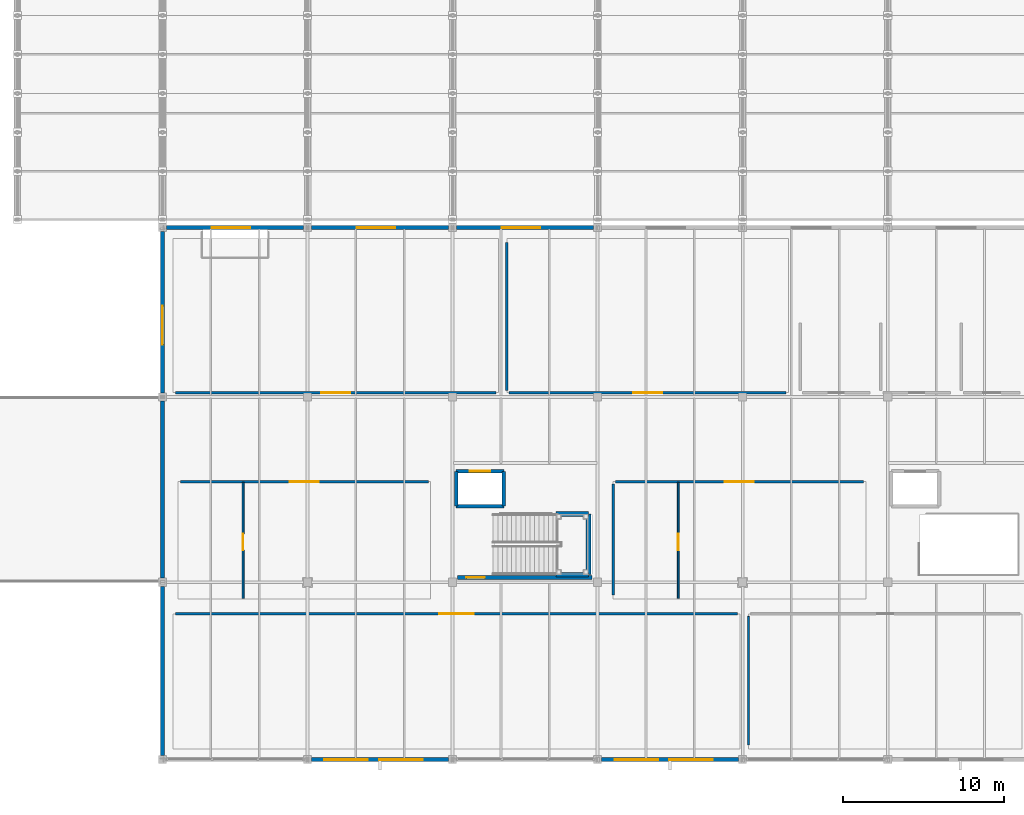
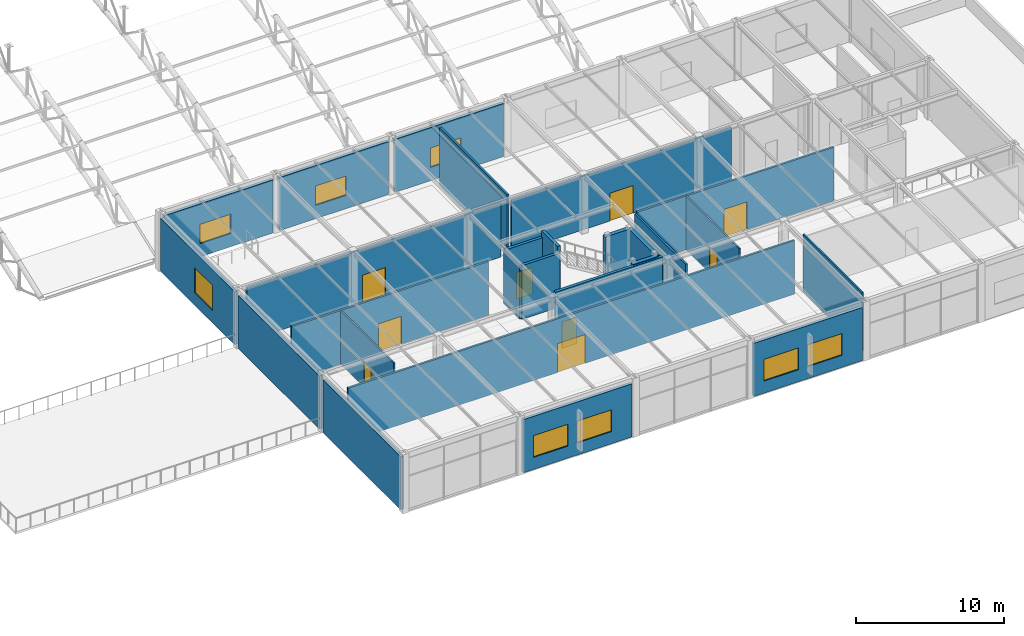
# One storey, part 113 of 195: 26 walls, 9 doors, 8 windows, 17 openings.
"""IFC4 building model written with IfcOpenShell, lengths in metres."""

from ifc_helpers import new_model, si_unit, direction, frame, frame_2d, origin, place, context, subcontext, project, spatial, rectangle, extrude, material, layer, layer_set, type_object, element, fill, save


model = new_model("IFC4")

# Units and contexts
model_context = context("Model", 3, precision=1e-05, world=origin(), true_north=direction((0.0, 1.0)))
body_context = subcontext(model_context, "Body", "Model", "MODEL_VIEW")
ifc_project = project(units=[si_unit("LENGTHUNIT", "METRE"), si_unit("AREAUNIT", "SQUARE_METRE"), si_unit("VOLUMEUNIT", "CUBIC_METRE"), si_unit("PLANEANGLEUNIT", "RADIAN"), si_unit("MASSUNIT", "GRAM", prefix="KILO")], contexts=[model_context])

# Site, building, storey
site_placement = place(None, origin())
site = spatial("IfcSite", under=ifc_project, at=site_placement, CompositionType="ELEMENT")
building_placement = place(site_placement, origin())
building = spatial("IfcBuilding", under=site, at=building_placement, Name="Marlcrest Central Station", CompositionType="ELEMENT")
storey_placement = place(building_placement, frame((0.0, 0.0, 9.800048828125)))
storey = spatial("IfcBuildingStorey", under=building, at=storey_placement, Name="L02", CompositionType="ELEMENT", Elevation=9.800048828125)

# Wall, opening, window
ifc_material_1 = material(Name="Precast concrete C40/50", Category="concrete")
ifc_layer_1 = layer(ifc_material_1, 0.239990234375, Name="EW-04")
ifc_layer_set_1 = layer_set([ifc_layer_1], Name="Precast concrete C40/50")
wall_type_1 = type_object("IfcWallType", Name="EW-04", PredefinedType="SOLIDWALL", material=ifc_layer_set_1)
wall_1_placement = place(storey_placement, frame((153.25, 33.0, 0.0), z_axis=(0.0, 0.0, 1.0), x_axis=(1.0, 0.0, 0.0)))
wall_1 = element("IfcWall", 1, at=wall_1_placement, inside=storey, type_object=wall_type_1, Name="ewall-L02-0075", PredefinedType="SOLIDWALL", context=body_context, shape_type="SweptSolid", body=[
    extrude(rectangle(XDim=8.5, YDim=0.239990234375, at=frame_2d((4.25, 0.0))), origin(), (0.0, 0.0, 1.0), 4.389892578125),
])
opening_1_placement = place(wall_1_placement, frame((2.800048828125, 0.0, 1.10009765625)))
opening_1 = element("IfcOpeningElement", 2, at=opening_1_placement, cuts=wall_1, Name="Opening WN-02", PredefinedType="OPENING", context=body_context, shape_type="SweptSolid", body=[
    extrude(rectangle(XDim=2.39990234375, YDim=1.60009765625, at=frame_2d((1.199951171875, 0.800048828125))), frame((0.0, 0.1298828125, 0.0), z_axis=(0.0, -1.0, 0.0), x_axis=(1.0, 0.0, 0.0)), (0.0, 0.0, 1.0), 0.260009765625),
])
ifc_material_2 = material(Name="Thermally broken bronze-anodised aluminium and laminated low-E glass", Category="aluminium")
window_type_1 = type_object("IfcWindowType", Name="WN-02", PartitioningType="SINGLE_PANEL", PredefinedType="WINDOW", material=ifc_material_2)
window_1_placement = place(opening_1_placement, origin())
window_1 = element("IfcWindow", 3, at=window_1_placement, inside=storey, type_object=window_type_1, Name="ewin-L02-0038", OverallHeight=1.60009765625, OverallWidth=2.39990234375, PartitioningType="SINGLE_PANEL", PredefinedType="WINDOW", context=body_context, shape_type="SweptSolid", body=[
    extrude(rectangle(XDim=2.39990234375, YDim=1.60009765625, at=frame_2d((1.199951171875, 0.800048828125))), frame((0.0, 0.030029296875, 0.0), z_axis=(0.0, -1.0, 0.0), x_axis=(1.0, 0.0, 0.0)), (0.0, 0.0, 1.0), 0.06005859375),
])
fill(opening_1, window_1)

# Wall, openings, windows
wall_2_placement = place(storey_placement, frame((170.75, 0.0, 0.0), z_axis=(0.0, 0.0, 1.0), x_axis=(-1.0, 0.0, 0.0)))
wall_2 = element("IfcWall", 4, at=wall_2_placement, inside=storey, type_object=wall_type_1, Name="ewall-L02-0076", PredefinedType="SOLIDWALL", context=body_context, shape_type="SweptSolid", body=[
    extrude(rectangle(XDim=8.5, YDim=0.239990234375, at=frame_2d((4.25, 0.0))), origin(), (0.0, 0.0, 1.0), 4.389892578125),
])
opening_2_placement = place(wall_2_placement, frame((1.60009765625, 0.0, 1.0)))
opening_2 = element("IfcOpeningElement", 5, at=opening_2_placement, cuts=wall_2, Name="Opening WN-06", PredefinedType="OPENING", context=body_context, shape_type="SweptSolid", body=[
    extrude(rectangle(XDim=2.699951171875, YDim=1.800048828125, at=frame_2d((1.35009765625, 0.89990234375))), frame((0.0, 0.1298828125, 0.0), z_axis=(0.0, -1.0, 0.0), x_axis=(1.0, 0.0, 0.0)), (0.0, 0.0, 1.0), 0.260009765625),
])
opening_3_placement = place(wall_2_placement, frame((5.0, 0.0, 1.0)))
opening_3 = element("IfcOpeningElement", 6, at=opening_3_placement, cuts=wall_2, Name="Opening WN-06", PredefinedType="OPENING", context=body_context, shape_type="SweptSolid", body=[
    extrude(rectangle(XDim=2.699951171875, YDim=1.800048828125, at=frame_2d((1.35009765625, 0.89990234375))), frame((0.0, 0.1298828125, 0.0), z_axis=(0.0, -1.0, 0.0), x_axis=(1.0, 0.0, 0.0)), (0.0, 0.0, 1.0), 0.260009765625),
])
window_type_2 = type_object("IfcWindowType", Name="WN-06", PartitioningType="SINGLE_PANEL", PredefinedType="WINDOW", material=ifc_material_2)
window_2_placement = place(opening_2_placement, origin())
window_2 = element("IfcWindow", 7, at=window_2_placement, inside=storey, type_object=window_type_2, Name="ewin-L02-0039", OverallHeight=1.800048828125, OverallWidth=2.699951171875, PartitioningType="SINGLE_PANEL", PredefinedType="WINDOW", context=body_context, shape_type="SweptSolid", body=[
    extrude(rectangle(XDim=2.699951171875, YDim=1.800048828125, at=frame_2d((1.35009765625, 0.89990234375))), frame((0.0, 0.030029296875, 0.0), z_axis=(0.0, -1.0, 0.0), x_axis=(1.0, 0.0, 0.0)), (0.0, 0.0, 1.0), 0.06005859375),
])
fill(opening_2, window_2)
window_3_placement = place(opening_3_placement, origin())
window_3 = element("IfcWindow", 8, at=window_3_placement, inside=storey, type_object=window_type_2, Name="ewin-L02-0040", OverallHeight=1.800048828125, OverallWidth=2.699951171875, PartitioningType="SINGLE_PANEL", PredefinedType="WINDOW", context=body_context, shape_type="SweptSolid", body=[
    extrude(rectangle(XDim=2.699951171875, YDim=1.800048828125, at=frame_2d((1.35009765625, 0.89990234375))), frame((0.0, 0.030029296875, 0.0), z_axis=(0.0, -1.0, 0.0), x_axis=(1.0, 0.0, 0.0)), (0.0, 0.0, 1.0), 0.06005859375),
])
fill(opening_3, window_3)

# Wall, opening, window
wall_3_placement = place(storey_placement, frame((162.25, 33.0, 0.0), z_axis=(0.0, 0.0, 1.0), x_axis=(1.0, 0.0, 0.0)))
wall_3 = element("IfcWall", 9, at=wall_3_placement, inside=storey, type_object=wall_type_1, Name="ewall-L02-0077", PredefinedType="SOLIDWALL", context=body_context, shape_type="SweptSolid", body=[
    extrude(rectangle(XDim=8.5, YDim=0.239990234375, at=frame_2d((4.25, 0.0))), origin(), (0.0, 0.0, 1.0), 4.389892578125),
])
opening_4_placement = place(wall_3_placement, frame((2.800048828125, 0.0, 1.10009765625)))
opening_4 = element("IfcOpeningElement", 10, at=opening_4_placement, cuts=wall_3, Name="Opening WN-02", PredefinedType="OPENING", context=body_context, shape_type="SweptSolid", body=[
    extrude(rectangle(XDim=2.39990234375, YDim=1.60009765625, at=frame_2d((1.199951171875, 0.800048828125))), frame((0.0, 0.1298828125, 0.0), z_axis=(0.0, -1.0, 0.0), x_axis=(1.0, 0.0, 0.0)), (0.0, 0.0, 1.0), 0.260009765625),
])
window_4_placement = place(opening_4_placement, origin())
window_4 = element("IfcWindow", 11, at=window_4_placement, inside=storey, type_object=window_type_1, Name="ewin-L02-0041", OverallHeight=1.60009765625, OverallWidth=2.39990234375, PartitioningType="SINGLE_PANEL", PredefinedType="WINDOW", context=body_context, shape_type="SweptSolid", body=[
    extrude(rectangle(XDim=2.39990234375, YDim=1.60009765625, at=frame_2d((1.199951171875, 0.800048828125))), frame((0.0, 0.030029296875, 0.0), z_axis=(0.0, -1.0, 0.0), x_axis=(1.0, 0.0, 0.0)), (0.0, 0.0, 1.0), 0.06005859375),
])
fill(opening_4, window_4)

wall_4_placement = place(storey_placement, frame((171.25, 33.0, 0.0), z_axis=(0.0, 0.0, 1.0), x_axis=(1.0, 0.0, 0.0)))
wall_4 = element("IfcWall", 12, at=wall_4_placement, inside=storey, type_object=wall_type_1, Name="ewall-L02-0078", PredefinedType="SOLIDWALL", context=body_context, shape_type="SweptSolid", body=[
    extrude(rectangle(XDim=8.5, YDim=0.239990234375, at=frame_2d((4.25, 0.0))), origin(), (0.0, 0.0, 1.0), 4.389892578125),
])
opening_5_placement = place(wall_4_placement, frame((2.800048828125, 0.0, 1.10009765625)))
opening_5 = element("IfcOpeningElement", 13, at=opening_5_placement, cuts=wall_4, Name="Opening WN-02", PredefinedType="OPENING", context=body_context, shape_type="SweptSolid", body=[
    extrude(rectangle(XDim=2.39990234375, YDim=1.60009765625, at=frame_2d((1.199951171875, 0.800048828125))), frame((0.0, 0.1298828125, 0.0), z_axis=(0.0, -1.0, 0.0), x_axis=(1.0, 0.0, 0.0)), (0.0, 0.0, 1.0), 0.260009765625),
])
window_5_placement = place(opening_5_placement, origin())
window_5 = element("IfcWindow", 14, at=window_5_placement, inside=storey, type_object=window_type_1, Name="ewin-L02-0042", OverallHeight=1.60009765625, OverallWidth=2.39990234375, PartitioningType="SINGLE_PANEL", PredefinedType="WINDOW", context=body_context, shape_type="SweptSolid", body=[
    extrude(rectangle(XDim=2.39990234375, YDim=1.60009765625, at=frame_2d((1.199951171875, 0.800048828125))), frame((0.0, 0.030029296875, 0.0), z_axis=(0.0, -1.0, 0.0), x_axis=(1.0, 0.0, 0.0)), (0.0, 0.0, 1.0), 0.06005859375),
])
fill(opening_5, window_5)

# Wall, openings, windows
wall_5_placement = place(storey_placement, frame((188.75, 0.0, 0.0), z_axis=(0.0, 0.0, 1.0), x_axis=(-1.0, 0.0, 0.0)))
wall_5 = element("IfcWall", 15, at=wall_5_placement, inside=storey, type_object=wall_type_1, Name="ewall-L02-0079", PredefinedType="SOLIDWALL", context=body_context, shape_type="SweptSolid", body=[
    extrude(rectangle(XDim=8.5, YDim=0.239990234375, at=frame_2d((4.25, 0.0))), origin(), (0.0, 0.0, 1.0), 4.389892578125),
])
opening_6_placement = place(wall_5_placement, frame((1.60009765625, 0.0, 1.0)))
opening_6 = element("IfcOpeningElement", 16, at=opening_6_placement, cuts=wall_5, Name="Opening WN-06", PredefinedType="OPENING", context=body_context, shape_type="SweptSolid", body=[
    extrude(rectangle(XDim=2.699951171875, YDim=1.800048828125, at=frame_2d((1.35009765625, 0.89990234375))), frame((0.0, 0.1298828125, 0.0), z_axis=(0.0, -1.0, 0.0), x_axis=(1.0, 0.0, 0.0)), (0.0, 0.0, 1.0), 0.260009765625),
])
opening_7_placement = place(wall_5_placement, frame((5.0, 0.0, 1.0)))
opening_7 = element("IfcOpeningElement", 17, at=opening_7_placement, cuts=wall_5, Name="Opening WN-06", PredefinedType="OPENING", context=body_context, shape_type="SweptSolid", body=[
    extrude(rectangle(XDim=2.699951171875, YDim=1.800048828125, at=frame_2d((1.35009765625, 0.89990234375))), frame((0.0, 0.1298828125, 0.0), z_axis=(0.0, -1.0, 0.0), x_axis=(1.0, 0.0, 0.0)), (0.0, 0.0, 1.0), 0.260009765625),
])
window_6_placement = place(opening_6_placement, origin())
window_6 = element("IfcWindow", 18, at=window_6_placement, inside=storey, type_object=window_type_2, Name="ewin-L02-0043", OverallHeight=1.800048828125, OverallWidth=2.699951171875, PartitioningType="SINGLE_PANEL", PredefinedType="WINDOW", context=body_context, shape_type="SweptSolid", body=[
    extrude(rectangle(XDim=2.699951171875, YDim=1.800048828125, at=frame_2d((1.35009765625, 0.89990234375))), frame((0.0, 0.030029296875, 0.0), z_axis=(0.0, -1.0, 0.0), x_axis=(1.0, 0.0, 0.0)), (0.0, 0.0, 1.0), 0.06005859375),
])
fill(opening_6, window_6)
window_7_placement = place(opening_7_placement, origin())
window_7 = element("IfcWindow", 19, at=window_7_placement, inside=storey, type_object=window_type_2, Name="ewin-L02-0044", OverallHeight=1.800048828125, OverallWidth=2.699951171875, PartitioningType="SINGLE_PANEL", PredefinedType="WINDOW", context=body_context, shape_type="SweptSolid", body=[
    extrude(rectangle(XDim=2.699951171875, YDim=1.800048828125, at=frame_2d((1.35009765625, 0.89990234375))), frame((0.0, 0.030029296875, 0.0), z_axis=(0.0, -1.0, 0.0), x_axis=(1.0, 0.0, 0.0)), (0.0, 0.0, 1.0), 0.06005859375),
])
fill(opening_7, window_7)

# Walls
wall_6_placement = place(storey_placement, frame((153.0, 0.25, 0.0), z_axis=(0.0, 0.0, 1.0), x_axis=(0.0, 1.0, 0.0)))
element("IfcWall", 20, at=wall_6_placement, inside=storey, type_object=wall_type_1, Name="ewall-L02-0084", PredefinedType="SOLIDWALL", context=body_context, shape_type="SweptSolid", body=[
    extrude(rectangle(XDim=10.5, YDim=0.239990234375, at=frame_2d((5.25, 0.0))), origin(), (0.0, 0.0, 1.0), 4.389892578125),
])
wall_7_placement = place(storey_placement, frame((153.0, 11.25, 0.0), z_axis=(0.0, 0.0, 1.0), x_axis=(0.0, 1.0, 0.0)))
element("IfcWall", 21, at=wall_7_placement, inside=storey, type_object=wall_type_1, Name="ewall-L02-0086", PredefinedType="SOLIDWALL", context=body_context, shape_type="SweptSolid", body=[
    extrude(rectangle(XDim=11.0, YDim=0.239990234375, at=frame_2d((5.5, 0.0))), origin(), (0.0, 0.0, 1.0), 4.389892578125),
])

# Wall, opening, window
wall_8_placement = place(storey_placement, frame((153.0, 22.75, 0.0), z_axis=(0.0, 0.0, 1.0), x_axis=(0.0, 1.0, 0.0)))
wall_8 = element("IfcWall", 22, at=wall_8_placement, inside=storey, type_object=wall_type_1, Name="ewall-L02-0088", PredefinedType="SOLIDWALL", context=body_context, shape_type="SweptSolid", body=[
    extrude(rectangle(XDim=10.0, YDim=0.239990234375, at=frame_2d((5.0, 0.0))), origin(), (0.0, 0.0, 1.0), 4.389892578125),
])
opening_8_placement = place(wall_8_placement, frame((3.0, 0.0, 1.0)))
opening_8 = element("IfcOpeningElement", 23, at=opening_8_placement, cuts=wall_8, Name="Opening WN-10", PredefinedType="OPENING", context=body_context, shape_type="SweptSolid", body=[
    extrude(rectangle(XDim=2.39990234375, YDim=2.10009765625, at=frame_2d((1.199951171875, 1.050048828125))), frame((0.0, 0.1298828125, 0.0), z_axis=(0.0, -1.0, 0.0), x_axis=(1.0, 0.0, 0.0)), (0.0, 0.0, 1.0), 0.260009765625),
])
window_type_3 = type_object("IfcWindowType", Name="WN-10", PartitioningType="SINGLE_PANEL", PredefinedType="WINDOW", material=ifc_material_2)
window_8_placement = place(opening_8_placement, origin())
window_8 = element("IfcWindow", 24, at=window_8_placement, inside=storey, type_object=window_type_3, Name="ewin-L02-0051", OverallHeight=2.10009765625, OverallWidth=2.39990234375, PartitioningType="SINGLE_PANEL", PredefinedType="WINDOW", context=body_context, shape_type="SweptSolid", body=[
    extrude(rectangle(XDim=2.39990234375, YDim=2.10009765625, at=frame_2d((1.199951171875, 1.050048828125))), frame((0.0, 0.030029296875, 0.0), z_axis=(0.0, -1.0, 0.0), x_axis=(1.0, 0.0, 0.0)), (0.0, 0.0, 1.0), 0.06005859375),
])
fill(opening_8, window_8)

# Wall
ifc_material_3 = material(Name="Acoustic steel-stud gypsum board partition", Category="steel")
ifc_layer_2 = layer(ifc_material_3, 0.1201171875, Name="PT-01")
ifc_layer_set_2 = layer_set([ifc_layer_2], Name="Acoustic steel-stud gypsum board partition")
wall_type_2 = type_object("IfcWallType", Name="PT-01", PredefinedType="PARTITIONING", material=ifc_layer_set_2)
wall_9_placement = place(storey_placement, frame((189.360107421875, 0.909912109375, 0.0), z_axis=(0.0, 0.0, 1.0), x_axis=(0.0, 1.0, 0.0)))
element("IfcWall", 25, at=wall_9_placement, inside=storey, type_object=wall_type_2, Name="iwall-L02-00136", PredefinedType="PARTITIONING", context=body_context, shape_type="SweptSolid", body=[
    extrude(rectangle(XDim=7.97998046875, YDim=0.1201171875, at=frame_2d((3.989990234375, 0.0))), origin(), (0.0, 0.0, 1.0), 4.800048828125),
])

# Wall, opening, door
wall_10_placement = place(storey_placement, frame((158.0, 10.0, 0.0), z_axis=(0.0, 0.0, 1.0), x_axis=(0.0, 1.0, 0.0)))
wall_10 = element("IfcWall", 26, at=wall_10_placement, inside=storey, type_object=wall_type_2, Name="iwall-L02-kiosk-01", PredefinedType="PARTITIONING", context=body_context, shape_type="SweptSolid", body=[
    extrude(rectangle(XDim=7.199951171875, YDim=0.1201171875, at=frame_2d((3.60009765625, 0.0))), origin(), (0.0, 0.0, 1.0), 4.43994140625),
])
opening_9_placement = place(wall_10_placement, frame((3.0, 0.0, 0.0)))
opening_9 = element("IfcOpeningElement", 27, at=opening_9_placement, cuts=wall_10, Name="Opening ID-02", PredefinedType="OPENING", context=body_context, shape_type="SweptSolid", body=[
    extrude(rectangle(XDim=1.0, YDim=2.14990234375, at=frame_2d((0.5, 1.074951171875))), frame((0.0, 0.070068359375, 0.0), z_axis=(0.0, -1.0, 0.0), x_axis=(1.0, 0.0, 0.0)), (0.0, 0.0, 1.0), 0.14013671875),
])
ifc_material_4 = material(Name="Solid-core hardwood office door", Category="wood")
door_type_1 = type_object("IfcDoorType", Name="ID-02", OperationType="NOTDEFINED", PredefinedType="DOOR", material=ifc_material_4)
door_1_placement = place(opening_9_placement, origin())
door_1 = element("IfcDoor", 28, at=door_1_placement, inside=storey, type_object=door_type_1, Name="door-L02-kiosk-01", OperationType="SINGLE_SWING_LEFT", OverallHeight=2.14990234375, OverallWidth=1.0, PredefinedType="DOOR", context=body_context, shape_type="SweptSolid", body=[
    extrude(rectangle(XDim=1.0, YDim=2.14990234375, at=frame_2d((0.5, 1.074951171875))), frame((0.0, 0.02490234375, 0.0), z_axis=(0.0, -1.0, 0.0), x_axis=(1.0, 0.0, 0.0)), (0.0, 0.0, 1.0), 0.050048828125),
])
fill(opening_9, door_1)

wall_11_placement = place(storey_placement, frame((185.0, 10.0, 0.0), z_axis=(0.0, 0.0, 1.0), x_axis=(0.0, 1.0, 0.0)))
wall_11 = element("IfcWall", 29, at=wall_11_placement, inside=storey, type_object=wall_type_2, Name="iwall-L02-kiosk-02", PredefinedType="PARTITIONING", context=body_context, shape_type="SweptSolid", body=[
    extrude(rectangle(XDim=7.199951171875, YDim=0.1201171875, at=frame_2d((3.60009765625, 0.0))), origin(), (0.0, 0.0, 1.0), 4.43994140625),
])
opening_10_placement = place(wall_11_placement, frame((3.0, 0.0, 0.0)))
opening_10 = element("IfcOpeningElement", 30, at=opening_10_placement, cuts=wall_11, Name="Opening ID-02", PredefinedType="OPENING", context=body_context, shape_type="SweptSolid", body=[
    extrude(rectangle(XDim=1.0, YDim=2.14990234375, at=frame_2d((0.5, 1.074951171875))), frame((0.0, 0.070068359375, 0.0), z_axis=(0.0, -1.0, 0.0), x_axis=(1.0, 0.0, 0.0)), (0.0, 0.0, 1.0), 0.14013671875),
])
door_2_placement = place(opening_10_placement, origin())
door_2 = element("IfcDoor", 31, at=door_2_placement, inside=storey, type_object=door_type_1, Name="door-L02-kiosk-02", OperationType="SINGLE_SWING_LEFT", OverallHeight=2.14990234375, OverallWidth=1.0, PredefinedType="DOOR", context=body_context, shape_type="SweptSolid", body=[
    extrude(rectangle(XDim=1.0, YDim=2.14990234375, at=frame_2d((0.5, 1.074951171875))), frame((0.0, 0.02490234375, 0.0), z_axis=(0.0, -1.0, 0.0), x_axis=(1.0, 0.0, 0.0)), (0.0, 0.0, 1.0), 0.050048828125),
])
fill(opening_10, door_2)

ifc_material_5 = material(Name="Retail tenancy demising partition")
ifc_layer_3 = layer(ifc_material_5, 0.14990234375, Name="PT-05")
ifc_layer_set_3 = layer_set([ifc_layer_3], Name="Retail tenancy demising partition")
wall_type_3 = type_object("IfcWallType", Name="PT-05", PredefinedType="PARTITIONING", material=ifc_layer_set_3)
wall_12_placement = place(storey_placement, frame((154.110107421875, 17.239990234375, 0.0), z_axis=(0.0, 0.0, 1.0), x_axis=(1.0, 0.0, 0.0)))
wall_12 = element("IfcWall", 32, at=wall_12_placement, inside=storey, type_object=wall_type_3, Name="iwall-L02-00111", PredefinedType="PARTITIONING", context=body_context, shape_type="SweptSolid", body=[
    extrude(rectangle(XDim=15.3798828125, YDim=0.14990234375, at=frame_2d((7.68994140625, 0.0))), origin(), (0.0, 0.0, 1.0), 4.43994140625),
])
opening_11_placement = place(wall_12_placement, frame((6.7900390625, 0.0, 0.0)))
opening_11 = element("IfcOpeningElement", 33, at=opening_11_placement, cuts=wall_12, Name="Opening ID-06", PredefinedType="OPENING", context=body_context, shape_type="SweptSolid", body=[
    extrude(rectangle(XDim=1.800048828125, YDim=2.300048828125, at=frame_2d((0.89990234375, 1.14990234375))), frame((0.0, 0.0849609375, 0.0), z_axis=(0.0, -1.0, 0.0), x_axis=(1.0, 0.0, 0.0)), (0.0, 0.0, 1.0), 0.169921875),
])
ifc_material_6 = material(Name="Double retail and cafe entrance door")
door_type_2 = type_object("IfcDoorType", Name="ID-06", OperationType="DOUBLE_DOOR_SINGLE_SWING", PredefinedType="DOOR", material=ifc_material_6)
door_3_placement = place(opening_11_placement, origin())
door_3 = element("IfcDoor", 34, at=door_3_placement, inside=storey, type_object=door_type_2, Name="L02-V4F 0066", OperationType="DOUBLE_DOOR_SINGLE_SWING", OverallHeight=2.300048828125, OverallWidth=1.800048828125, PredefinedType="DOOR", context=body_context, shape_type="SweptSolid", body=[
    extrude(rectangle(XDim=1.800048828125, YDim=2.300048828125, at=frame_2d((0.89990234375, 1.14990234375))), frame((0.0, 0.02490234375, 0.0), z_axis=(0.0, -1.0, 0.0), x_axis=(1.0, 0.0, 0.0)), (0.0, 0.0, 1.0), 0.050048828125),
])
fill(opening_11, door_3)

wall_13_placement = place(storey_placement, frame((181.110107421875, 17.239990234375, 0.0), z_axis=(0.0, 0.0, 1.0), x_axis=(1.0, 0.0, 0.0)))
wall_13 = element("IfcWall", 35, at=wall_13_placement, inside=storey, type_object=wall_type_3, Name="iwall-L02-00112", PredefinedType="PARTITIONING", context=body_context, shape_type="SweptSolid", body=[
    extrude(rectangle(XDim=15.3798828125, YDim=0.14990234375, at=frame_2d((7.68994140625, 0.0))), origin(), (0.0, 0.0, 1.0), 4.43994140625),
])
opening_12_placement = place(wall_13_placement, frame((6.7900390625, 0.0, 0.0)))
opening_12 = element("IfcOpeningElement", 36, at=opening_12_placement, cuts=wall_13, Name="Opening ID-06", PredefinedType="OPENING", context=body_context, shape_type="SweptSolid", body=[
    extrude(rectangle(XDim=1.800048828125, YDim=2.300048828125, at=frame_2d((0.89990234375, 1.14990234375))), frame((0.0, 0.0849609375, 0.0), z_axis=(0.0, -1.0, 0.0), x_axis=(1.0, 0.0, 0.0)), (0.0, 0.0, 1.0), 0.169921875),
])
door_4_placement = place(opening_12_placement, origin())
door_4 = element("IfcDoor", 37, at=door_4_placement, inside=storey, type_object=door_type_2, Name="L02-V4G 0067", OperationType="DOUBLE_DOOR_SINGLE_SWING", OverallHeight=2.300048828125, OverallWidth=1.800048828125, PredefinedType="DOOR", context=body_context, shape_type="SweptSolid", body=[
    extrude(rectangle(XDim=1.800048828125, YDim=2.300048828125, at=frame_2d((0.89990234375, 1.14990234375))), frame((0.0, 0.02490234375, 0.0), z_axis=(0.0, -1.0, 0.0), x_axis=(1.0, 0.0, 0.0)), (0.0, 0.0, 1.0), 0.050048828125),
])
fill(opening_12, door_4)

# Wall
wall_14_placement = place(storey_placement, frame((180.9599609375, 10.2099609375, 0.0), z_axis=(0.0, 0.0, 1.0), x_axis=(0.0, 1.0, 0.0)))
element("IfcWall", 38, at=wall_14_placement, inside=storey, type_object=wall_type_3, Name="iwall-L02-00113", PredefinedType="PARTITIONING", context=body_context, shape_type="SweptSolid", body=[
    extrude(rectangle(XDim=6.880126953125, YDim=0.14990234375, at=frame_2d((3.43994140625, 0.0))), origin(), (0.0, 0.0, 1.0), 4.43994140625),
])

# Wall, opening, door
wall_15_placement = place(storey_placement, frame((153.81005859375, 9.0400390625, 0.0), z_axis=(0.0, 0.0, 1.0), x_axis=(1.0, 0.0, 0.0)))
wall_15 = element("IfcWall", 39, at=wall_15_placement, inside=storey, type_object=wall_type_3, Name="iwall-L02-00134", PredefinedType="PARTITIONING", context=body_context, shape_type="SweptSolid", body=[
    extrude(rectangle(XDim=34.8798828125, YDim=0.14990234375, at=frame_2d((17.43994140625, 0.0))), origin(), (0.0, 0.0, 1.0), 4.43994140625),
])
opening_13_placement = place(wall_15_placement, frame((16.364990234375, 0.0, 0.0)))
opening_13 = element("IfcOpeningElement", 40, at=opening_13_placement, cuts=wall_15, Name="Opening ID-12", PredefinedType="OPENING", context=body_context, shape_type="SweptSolid", body=[
    extrude(rectangle(XDim=2.14990234375, YDim=2.39990234375, at=frame_2d((1.074951171875, 1.199951171875))), frame((0.0, 0.0849609375, 0.0), z_axis=(0.0, -1.0, 0.0), x_axis=(1.0, 0.0, 0.0)), (0.0, 0.0, 1.0), 0.169921875),
])
ifc_material_7 = material(Name="Double concourse retail storefront door")
door_type_3 = type_object("IfcDoorType", Name="ID-12", OperationType="DOUBLE_DOOR_SINGLE_SWING", PredefinedType="DOOR", material=ifc_material_7)
door_5_placement = place(opening_13_placement, origin())
door_5 = element("IfcDoor", 41, at=door_5_placement, inside=storey, type_object=door_type_3, Name="L02-V4A 0076", OperationType="DOUBLE_DOOR_SINGLE_SWING", OverallHeight=2.39990234375, OverallWidth=2.14990234375, PredefinedType="DOOR", context=body_context, shape_type="SweptSolid", body=[
    extrude(rectangle(XDim=2.14990234375, YDim=2.39990234375, at=frame_2d((1.074951171875, 1.199951171875))), frame((0.0, 0.02490234375, 0.0), z_axis=(0.0, -1.0, 0.0), x_axis=(1.0, 0.0, 0.0)), (0.0, 0.0, 1.0), 0.050048828125),
])
fill(opening_13, door_5)

wall_16_placement = place(storey_placement, frame((173.68994140625, 22.760009765625, 0.0), z_axis=(0.0, 0.0, 1.0), x_axis=(-1.0, 0.0, 0.0)))
wall_16 = element("IfcWall", 42, at=wall_16_placement, inside=storey, type_object=wall_type_3, Name="iwall-L02-00137", PredefinedType="PARTITIONING", context=body_context, shape_type="SweptSolid", body=[
    extrude(rectangle(XDim=19.8798828125, YDim=0.14990234375, at=frame_2d((9.93994140625, 0.0))), origin(), (0.0, 0.0, 1.0), 4.43994140625),
])
opening_14_placement = place(wall_16_placement, frame((9.0400390625, 0.0, 0.0)))
opening_14 = element("IfcOpeningElement", 43, at=opening_14_placement, cuts=wall_16, Name="Opening ID-06", PredefinedType="OPENING", context=body_context, shape_type="SweptSolid", body=[
    extrude(rectangle(XDim=1.800048828125, YDim=2.300048828125, at=frame_2d((0.89990234375, 1.14990234375))), frame((0.0, 0.0849609375, 0.0), z_axis=(0.0, -1.0, 0.0), x_axis=(1.0, 0.0, 0.0)), (0.0, 0.0, 1.0), 0.169921875),
])
door_6_placement = place(opening_14_placement, origin())
door_6 = element("IfcDoor", 44, at=door_6_placement, inside=storey, type_object=door_type_2, Name="L02-V4D 0078", OperationType="DOUBLE_DOOR_SINGLE_SWING", OverallHeight=2.300048828125, OverallWidth=1.800048828125, PredefinedType="DOOR", context=body_context, shape_type="SweptSolid", body=[
    extrude(rectangle(XDim=1.800048828125, YDim=2.300048828125, at=frame_2d((0.89990234375, 1.14990234375))), frame((0.0, 0.02490234375, 0.0), z_axis=(0.0, -1.0, 0.0), x_axis=(1.0, 0.0, 0.0)), (0.0, 0.0, 1.0), 0.050048828125),
])
fill(opening_14, door_6)

wall_17_placement = place(storey_placement, frame((191.68994140625, 22.760009765625, 0.0), z_axis=(0.0, 0.0, 1.0), x_axis=(-1.0, 0.0, 0.0)))
wall_17 = element("IfcWall", 45, at=wall_17_placement, inside=storey, type_object=wall_type_3, Name="iwall-L02-00138", PredefinedType="PARTITIONING", context=body_context, shape_type="SweptSolid", body=[
    extrude(rectangle(XDim=17.179931640625, YDim=0.14990234375, at=frame_2d((8.58984375, 0.0))), origin(), (0.0, 0.0, 1.0), 4.43994140625),
])
opening_15_placement = place(wall_17_placement, frame((7.68994140625, 0.0, 0.0)))
opening_15 = element("IfcOpeningElement", 46, at=opening_15_placement, cuts=wall_17, Name="Opening ID-06", PredefinedType="OPENING", context=body_context, shape_type="SweptSolid", body=[
    extrude(rectangle(XDim=1.800048828125, YDim=2.300048828125, at=frame_2d((0.89990234375, 1.14990234375))), frame((0.0, 0.0849609375, 0.0), z_axis=(0.0, -1.0, 0.0), x_axis=(1.0, 0.0, 0.0)), (0.0, 0.0, 1.0), 0.169921875),
])
door_7_placement = place(opening_15_placement, origin())
door_7 = element("IfcDoor", 47, at=door_7_placement, inside=storey, type_object=door_type_2, Name="L02-V4E 0079", OperationType="DOUBLE_DOOR_SINGLE_SWING", OverallHeight=2.300048828125, OverallWidth=1.800048828125, PredefinedType="DOOR", context=body_context, shape_type="SweptSolid", body=[
    extrude(rectangle(XDim=1.800048828125, YDim=2.300048828125, at=frame_2d((0.89990234375, 1.14990234375))), frame((0.0, 0.02490234375, 0.0), z_axis=(0.0, -1.0, 0.0), x_axis=(1.0, 0.0, 0.0)), (0.0, 0.0, 1.0), 0.050048828125),
])
fill(opening_15, door_7)

# Wall
wall_18_placement = place(storey_placement, frame((174.360107421875, 22.909912109375, 0.0), z_axis=(0.0, 0.0, 1.0), x_axis=(0.0, 1.0, 0.0)))
element("IfcWall", 48, at=wall_18_placement, inside=storey, type_object=wall_type_3, Name="iwall-L02-00139", PredefinedType="PARTITIONING", context=body_context, shape_type="SweptSolid", body=[
    extrude(rectangle(XDim=9.18017578125, YDim=0.14990234375, at=frame_2d((4.590087890625, 0.0))), origin(), (0.0, 0.0, 1.0), 4.800048828125),
])

# Wall, opening, door
ifc_material_8 = material(Name="Concrete C40/50", Category="concrete")
ifc_layer_4 = layer(ifc_material_8, 0.22998046875, Name="SHW-01")
ifc_layer_set_4 = layer_set([ifc_layer_4], Name="Concrete C40/50")
wall_type_4 = type_object("IfcWallType", Name="SHW-01", PredefinedType="SOLIDWALL", material=ifc_layer_set_4)
wall_19_placement = place(storey_placement, frame((171.219970703125, 17.8798828125, 0.0), z_axis=(0.0, 0.0, 1.0), x_axis=(1.0, 0.0, 0.0)))
wall_19 = element("IfcWall", 49, at=wall_19_placement, inside=storey, type_object=wall_type_4, Name="iwall-L02-00323", PredefinedType="SOLIDWALL", context=body_context, shape_type="SweptSolid", body=[
    extrude(rectangle(XDim=2.9599609375, YDim=0.22998046875, at=frame_2d((1.47998046875, 0.0))), origin(), (0.0, 0.0, 1.0), 4.43994140625),
])
opening_16_placement = place(wall_19_placement, frame((0.85498046875, 0.0, 0.0)))
opening_16 = element("IfcOpeningElement", 50, at=opening_16_placement, cuts=wall_19, Name="Opening LD-02", PredefinedType="OPENING", context=body_context, shape_type="SweptSolid", body=[
    extrude(rectangle(XDim=1.25, YDim=2.199951171875, at=frame_2d((0.625, 1.10009765625))), frame((0.0, 0.125, 0.0), z_axis=(0.0, -1.0, 0.0), x_axis=(1.0, 0.0, 0.0)), (0.0, 0.0, 1.0), 0.25),
])
ifc_material_9 = material(Name="Stainless steel stretcher/firefighting lift landing door", Category="steel")
door_type_4 = type_object("IfcDoorType", Name="LD-02", OperationType="DOUBLE_DOOR_SLIDING", PredefinedType="DOOR", material=ifc_material_9)
door_8_placement = place(opening_16_placement, origin())
door_8 = element("IfcDoor", 51, at=door_8_placement, inside=storey, type_object=door_type_4, Name="LF-R1 Lift Landing Door 0151", OperationType="DOUBLE_DOOR_SLIDING", OverallHeight=2.199951171875, OverallWidth=1.25, PredefinedType="DOOR", context=body_context, shape_type="SweptSolid", body=[
    extrude(rectangle(XDim=1.25, YDim=2.199951171875, at=frame_2d((0.625, 1.10009765625))), frame((0.0, 0.02490234375, 0.0), z_axis=(0.0, -1.0, 0.0), x_axis=(1.0, 0.0, 0.0)), (0.0, 0.0, 1.0), 0.050048828125),
])
fill(opening_16, door_8)

# Walls
wall_20_placement = place(storey_placement, frame((174.179931640625, 15.719970703125, 0.0), z_axis=(0.0, 0.0, 1.0), x_axis=(-1.0, 0.0, 0.0)))
element("IfcWall", 52, at=wall_20_placement, inside=storey, type_object=wall_type_4, Name="iwall-L02-00324", PredefinedType="SOLIDWALL", context=body_context, shape_type="SweptSolid", body=[
    extrude(rectangle(XDim=2.9599609375, YDim=0.22998046875, at=frame_2d((1.47998046875, 0.0))), origin(), (0.0, 0.0, 1.0), 4.43994140625),
])
wall_21_placement = place(storey_placement, frame((171.219970703125, 15.719970703125, 0.0), z_axis=(0.0, 0.0, 1.0), x_axis=(0.0, 1.0, 0.0)))
element("IfcWall", 53, at=wall_21_placement, inside=storey, type_object=wall_type_4, Name="iwall-L02-00325", PredefinedType="SOLIDWALL", context=body_context, shape_type="SweptSolid", body=[
    extrude(rectangle(XDim=2.159912109375, YDim=0.22998046875, at=frame_2d((1.080078125, 0.0))), origin(), (0.0, 0.0, 1.0), 4.43994140625),
])
wall_22_placement = place(storey_placement, frame((174.179931640625, 17.8798828125, 0.0), z_axis=(0.0, 0.0, 1.0), x_axis=(0.0, -1.0, 0.0)))
element("IfcWall", 54, at=wall_22_placement, inside=storey, type_object=wall_type_4, Name="iwall-L02-00326", PredefinedType="SOLIDWALL", context=body_context, shape_type="SweptSolid", body=[
    extrude(rectangle(XDim=2.159912109375, YDim=0.22998046875, at=frame_2d((1.080078125, 0.0))), origin(), (0.0, 0.0, 1.0), 4.9599609375),
])

# Wall, opening, door
wall_23_placement = place(storey_placement, frame((171.300048828125, 11.300048828125, 0.0), z_axis=(0.0, 0.0, 1.0), x_axis=(1.0, 0.0, 0.0)))
wall_23 = element("IfcWall", 55, at=wall_23_placement, inside=storey, type_object=wall_type_4, Name="iwall-L02-00424", PredefinedType="SOLIDWALL", context=body_context, shape_type="SweptSolid", body=[
    extrude(rectangle(XDim=8.349853515625, YDim=0.22998046875, at=frame_2d((4.1748046875, 0.0))), origin(), (0.0, 0.0, 1.0), 4.89990234375),
])
opening_17_placement = place(wall_23_placement, frame((0.550048828125, 0.0, 0.0)))
opening_17 = element("IfcOpeningElement", 56, at=opening_17_placement, cuts=wall_23, Name="Opening FD-90", PredefinedType="OPENING", context=body_context, shape_type="SweptSolid", body=[
    extrude(rectangle(XDim=1.14990234375, YDim=2.199951171875, at=frame_2d((0.574951171875, 1.10009765625))), frame((0.0, 0.125, 0.0), z_axis=(0.0, -1.0, 0.0), x_axis=(1.0, 0.0, 0.0)), (0.0, 0.0, 1.0), 0.25),
])
ifc_material_10 = material(Name="90-minute stair and firefighting-lobby fire door")
door_type_5 = type_object("IfcDoorType", Name="FD-90", OperationType="NOTDEFINED", PredefinedType="DOOR", material=ifc_material_10)
door_9_placement = place(opening_17_placement, origin())
door_9 = element("IfcDoor", 57, at=door_9_placement, inside=storey, type_object=door_type_5, Name="ST-R12 Stair Enclosure Door 0181", OperationType="SINGLE_SWING_RIGHT", OverallHeight=2.199951171875, OverallWidth=1.14990234375, PredefinedType="DOOR", context=body_context, shape_type="SweptSolid", body=[
    extrude(rectangle(XDim=1.14990234375, YDim=2.199951171875, at=frame_2d((0.574951171875, 1.10009765625))), frame((0.0, 0.02490234375, 0.0), z_axis=(0.0, -1.0, 0.0), x_axis=(1.0, 0.0, 0.0)), (0.0, 0.0, 1.0), 0.050048828125),
])
fill(opening_17, door_9)

# Walls
ifc_material_11 = material(Name="Concrete C50/60", Category="concrete")
ifc_layer_5 = layer(ifc_material_11, 0.300048828125, Name="SW-02")
ifc_layer_set_5 = layer_set([ifc_layer_5], Name="Concrete C50/60")
wall_type_5 = type_object("IfcWallType", Name="SW-02", PredefinedType="SHEAR", material=ifc_layer_set_5)
wall_24_placement = place(storey_placement, frame((177.429931640625, 11.469970703125, 0.0), z_axis=(0.0, 0.0, 1.0), x_axis=(1.0, 0.0, 0.0)))
element("IfcWall", 58, at=wall_24_placement, inside=storey, type_object=wall_type_5, Name="htsw-0041-S", PredefinedType="SHEAR", context=body_context, shape_type="SweptSolid", body=[
    extrude(rectangle(XDim=2.0, YDim=0.300048828125, at=frame_2d((1.0, 0.0))), origin(), (0.0, 0.0, 1.0), 4.949951171875),
])
wall_25_placement = place(storey_placement, frame((179.429931640625, 11.469970703125, 0.0), z_axis=(0.0, 0.0, 1.0), x_axis=(0.0, 1.0, 0.0)))
element("IfcWall", 59, at=wall_25_placement, inside=storey, type_object=wall_type_5, Name="htsw-0041-E", PredefinedType="SHEAR", context=body_context, shape_type="SweptSolid", body=[
    extrude(rectangle(XDim=3.760009765625, YDim=0.300048828125, at=frame_2d((1.8798828125, 0.0))), origin(), (0.0, 0.0, 1.0), 4.949951171875),
])
wall_26_placement = place(storey_placement, frame((179.429931640625, 15.22998046875, 0.0), z_axis=(0.0, 0.0, 1.0), x_axis=(-1.0, 0.0, 0.0)))
element("IfcWall", 60, at=wall_26_placement, inside=storey, type_object=wall_type_5, Name="htsw-0041-N", PredefinedType="SHEAR", context=body_context, shape_type="SweptSolid", body=[
    extrude(rectangle(XDim=2.0, YDim=0.300048828125, at=frame_2d((1.0, 0.0))), origin(), (0.0, 0.0, 1.0), 4.949951171875),
])

save(model, "model.ifc")
